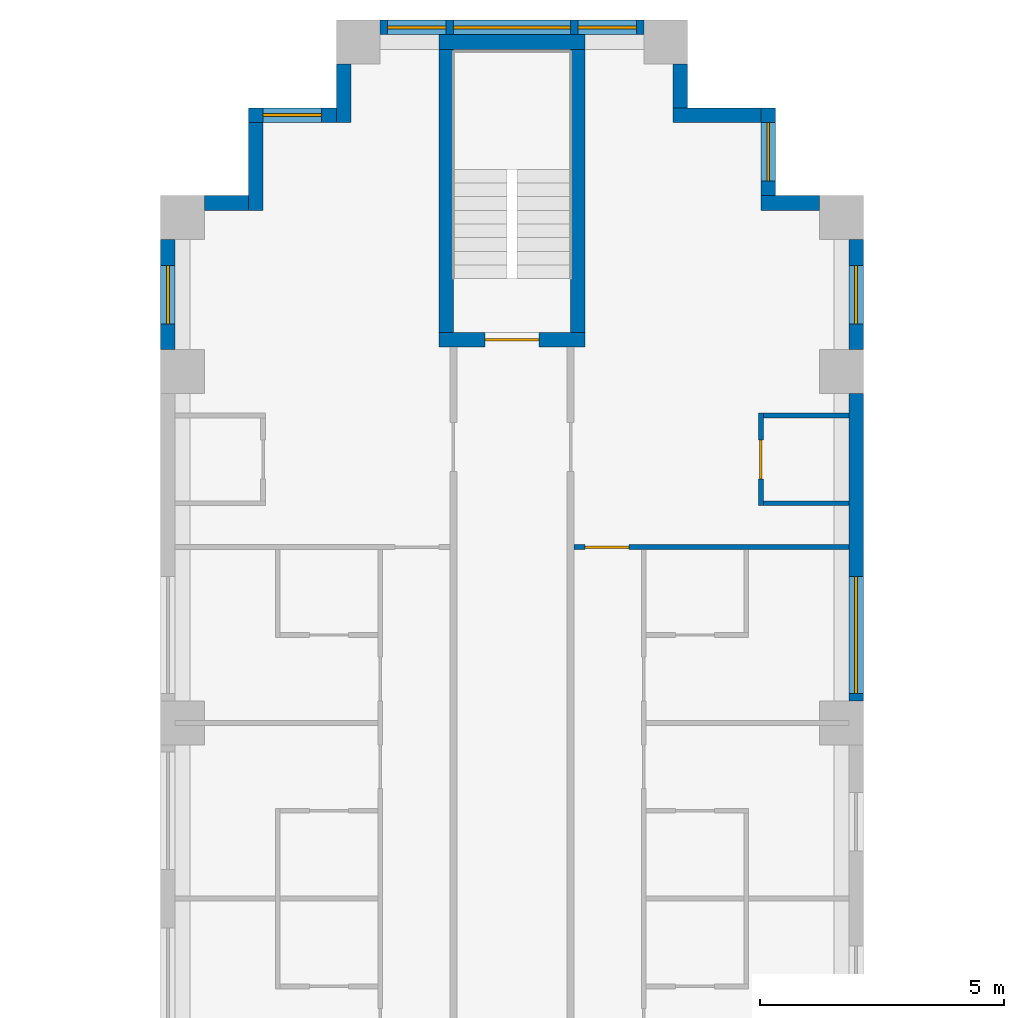
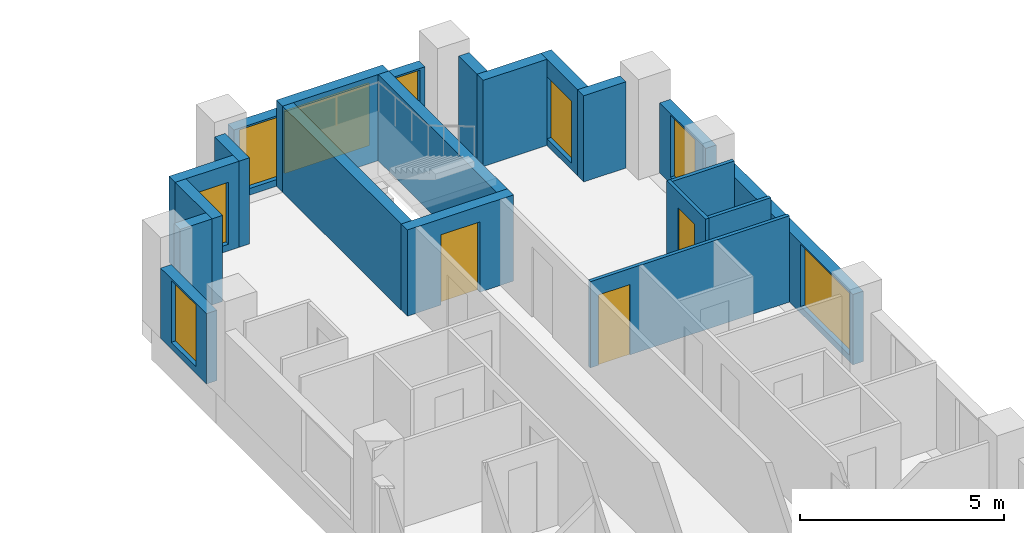
# One storey, part 12 of 15: 20 walls, 8 windows, 3 doors, 11 openings.
"""IFC4 building model written with IfcOpenShell, lengths in metres."""

from ifc_helpers import new_model, si_unit, direction, frame, frame_2d, origin, place, context, subcontext, project, spatial, rectangle, extrude, material, layer, layer_set, type_object, element, fill, save


model = new_model("IFC4")

# Units and contexts
model_context = context("Model", 3, precision=1e-05, world=origin(), true_north=direction((0.0, 1.0)))
body_context = subcontext(model_context, "Body", "Model", "MODEL_VIEW")
ifc_project = project(units=[si_unit("LENGTHUNIT", "METRE"), si_unit("AREAUNIT", "SQUARE_METRE"), si_unit("VOLUMEUNIT", "CUBIC_METRE"), si_unit("PLANEANGLEUNIT", "RADIAN"), si_unit("MASSUNIT", "GRAM", prefix="KILO")], contexts=[model_context])

# Site, building, storey
site_placement = place(None, origin())
site = spatial("IfcSite", under=ifc_project, at=site_placement, CompositionType="ELEMENT")
building_placement = place(site_placement, origin())
building = spatial("IfcBuilding", under=site, at=building_placement, Name="Fustian Cross Tower", CompositionType="ELEMENT")
storey_placement = place(building_placement, frame((0.0, 0.0, 11.699951171875)))
storey = spatial("IfcBuildingStorey", under=building, at=storey_placement, Name="L02", CompositionType="ELEMENT", Elevation=11.699951171875)

# Wall, opening, door
ifc_material_1 = material(Name="Plasterboard on steel stud", Category="steel")
ifc_layer_1 = layer(ifc_material_1, 0.10009765625)
ifc_layer_set_1 = layer_set([ifc_layer_1], Name="Plasterboard on steel stud")
wall_type_1 = type_object("IfcWallType", Name="PARTITION 100 STUD", PredefinedType="PARTITIONING", material=ifc_layer_set_1)
wall_1_placement = place(storey_placement, frame((1.27490234375, 32.39990234375, 0.0), z_axis=(0.0, 0.0, 1.0), x_axis=(1.0, 0.0, 0.0)))
wall_1 = element("IfcWall", 1, at=wall_1_placement, inside=storey, type_object=wall_type_1, Name="Partition 69", PredefinedType="PARTITIONING", context=body_context, shape_type="SweptSolid", body=[
    extrude(rectangle(XDim=5.625, YDim=0.10009765625, at=frame_2d((2.8125, 0.0))), origin(), (0.0, 0.0, 1.0), 2.574951171875),
])
opening_1_placement = place(wall_1_placement, frame((0.22509765625, 0.0, 0.0)))
opening_1 = element("IfcOpeningElement", 2, at=opening_1_placement, cuts=wall_1, Name="Opening D04037", PredefinedType="OPENING", context=body_context, shape_type="SweptSolid", body=[
    extrude(rectangle(XDim=0.89990234375, YDim=2.10009765625, at=frame_2d((0.449951171875, 1.050048828125))), frame((0.0, 0.06005859375, 0.0), z_axis=(0.0, -1.0, 0.0), x_axis=(1.0, 0.0, 0.0)), (0.0, 0.0, 1.0), 0.1201171875),
])
ifc_material_2 = material(Name="Painted timber", Category="wood")
door_type_1 = type_object("IfcDoorType", Name="SWING DOOR 900", OperationType="SINGLE_SWING_LEFT", PredefinedType="DOOR", material=ifc_material_2)
door_1_placement = place(opening_1_placement, frame((0.89990234375, 0.0, 0.0), z_axis=(0.0, 0.0, 1.0), x_axis=(-1.0, 0.0, 0.0)))
door_1 = element("IfcDoor", 3, at=door_1_placement, inside=storey, type_object=door_type_1, Name="Door D04037", OperationType="SINGLE_SWING_RIGHT", OverallHeight=2.10009765625, OverallWidth=0.89990234375, PredefinedType="DOOR", context=body_context, shape_type="SweptSolid", body=[
    extrude(rectangle(XDim=0.89990234375, YDim=2.10009765625, at=frame_2d((0.449951171875, 1.050048828125))), frame((0.0, 0.02490234375, 0.0), z_axis=(0.0, -1.0, 0.0), x_axis=(1.0, 0.0, 0.0)), (0.0, 0.0, 1.0), 0.050048828125),
])
fill(opening_1, door_1)

wall_2_placement = place(storey_placement, frame((5.10009765625, 33.25, 0.0), z_axis=(0.0, 0.0, 1.0), x_axis=(0.0, 1.0, 0.0)))
wall_2 = element("IfcWall", 4, at=wall_2_placement, inside=storey, type_object=wall_type_1, Name="Partition 95", PredefinedType="PARTITIONING", context=body_context, shape_type="SweptSolid", body=[
    extrude(rectangle(XDim=1.89990234375, YDim=0.10009765625, at=frame_2d((0.949951171875, 0.0))), origin(), (0.0, 0.0, 1.0), 2.574951171875),
])
opening_2_placement = place(wall_2_placement, frame((0.550048828125, 0.0, 0.0)))
opening_2 = element("IfcOpeningElement", 5, at=opening_2_placement, cuts=wall_2, Name="Opening D04035", PredefinedType="OPENING", context=body_context, shape_type="SweptSolid", body=[
    extrude(rectangle(XDim=0.800048828125, YDim=2.10009765625, at=frame_2d((0.39990234375, 1.050048828125))), frame((0.0, 0.06005859375, 0.0), z_axis=(0.0, -1.0, 0.0), x_axis=(1.0, 0.0, 0.0)), (0.0, 0.0, 1.0), 0.1201171875),
])
ifc_material_3 = material(Name="Painted timber", Category="wood")
door_type_2 = type_object("IfcDoorType", Name="SWING DOOR 800", OperationType="SINGLE_SWING_LEFT", PredefinedType="DOOR", material=ifc_material_3)
door_2_placement = place(opening_2_placement, frame((0.800048828125, 0.0, 0.0), z_axis=(0.0, 0.0, 1.0), x_axis=(-1.0, 0.0, 0.0)))
door_2 = element("IfcDoor", 6, at=door_2_placement, inside=storey, type_object=door_type_2, Name="Door D04035", OperationType="SINGLE_SWING_LEFT", OverallHeight=2.10009765625, OverallWidth=0.800048828125, PredefinedType="DOOR", context=body_context, shape_type="SweptSolid", body=[
    extrude(rectangle(XDim=0.800048828125, YDim=2.10009765625, at=frame_2d((0.39990234375, 1.050048828125))), frame((0.0, 0.02490234375, 0.0), z_axis=(0.0, -1.0, 0.0), x_axis=(1.0, 0.0, 0.0)), (0.0, 0.0, 1.0), 0.050048828125),
])
fill(opening_2, door_2)

# Walls
for number, where, z_axis, x_axis, name in (
    (7, (5.14990234375, 33.300048828125, 0.0), (0.0, 0.0, 1.0), (1.0, 0.0, 0.0), "Partition 96"),
    (8, (5.14990234375, 35.10009765625, 0.0), (0.0, 0.0, 1.0), (1.0, 0.0, 0.0), "Partition 97"),
):
    element("IfcWall", number, at=place(storey_placement, frame(where, z_axis=z_axis, x_axis=x_axis)), inside=storey, type_object=wall_type_1, Name=name, PredefinedType="PARTITIONING", context=body_context, shape_type="SweptSolid", body=[
        extrude(rectangle(XDim=1.75, YDim=0.10009765625, at=frame_2d((0.875, 0.0))), origin(), (0.0, 0.0, 1.0), 2.574951171875),
    ])

# Wall, opening, door
ifc_material_4 = material(Name="Concrete C50/60", Category="concrete")
ifc_layer_2 = layer(ifc_material_4, 0.300048828125)
ifc_layer_set_2 = layer_set([ifc_layer_2], Name="Concrete C50/60")
wall_type_2 = type_object("IfcWallType", Name="STAIR ENCLOSURE WALL 300 C50/60", PredefinedType="SHEAR", material=ifc_layer_set_2)
wall_3_placement = place(storey_placement, frame((-1.5, 36.64990234375, 0.0), z_axis=(0.0, 0.0, 1.0), x_axis=(1.0, 0.0, 0.0)))
wall_3 = element("IfcWall", 9, at=wall_3_placement, inside=storey, type_object=wall_type_2, Name="Stair enclosure wall", PredefinedType="SHEAR", context=body_context, shape_type="SweptSolid", body=[
    extrude(rectangle(XDim=3.0, YDim=0.300048828125, at=frame_2d((1.5, 0.0))), origin(), (0.0, 0.0, 1.0), 2.574951171875),
])
opening_3_placement = place(wall_3_placement, frame((0.949951171875, 0.0, 0.0)))
opening_3 = element("IfcOpeningElement", 10, at=opening_3_placement, cuts=wall_3, Name="Opening CD-04-29", PredefinedType="OPENING", context=body_context, shape_type="SweptSolid", body=[
    extrude(rectangle(XDim=1.10009765625, YDim=2.10009765625, at=frame_2d((0.550048828125, 1.050048828125))), frame((0.0, 0.159912109375, 0.0), z_axis=(0.0, -1.0, 0.0), x_axis=(1.0, 0.0, 0.0)), (0.0, 0.0, 1.0), 0.320068359375),
])
ifc_material_5 = material(Name="Steel", Category="steel")
door_type_3 = type_object("IfcDoorType", Name="FIRE DOOR FD60S 1100X2100", OperationType="SINGLE_SWING_LEFT", PredefinedType="DOOR", material=ifc_material_5)
door_3_placement = place(opening_3_placement, origin())
door_3 = element("IfcDoor", 11, at=door_3_placement, inside=storey, type_object=door_type_3, Name="Core door CD-04-29", OperationType="SINGLE_SWING_LEFT", OverallHeight=2.10009765625, OverallWidth=1.10009765625, PredefinedType="DOOR", context=body_context, shape_type="SweptSolid", body=[
    extrude(rectangle(XDim=1.10009765625, YDim=2.10009765625, at=frame_2d((0.550048828125, 1.050048828125))), frame((0.0, 0.02490234375, 0.0), z_axis=(0.0, -1.0, 0.0), x_axis=(1.0, 0.0, 0.0)), (0.0, 0.0, 1.0), 0.050048828125),
])
fill(opening_3, door_3)

# Walls
wall_4_placement = place(storey_placement, frame((-1.5, 42.75, 0.0), z_axis=(0.0, 0.0, 1.0), x_axis=(1.0, 0.0, 0.0)))
element("IfcWall", 12, at=wall_4_placement, inside=storey, type_object=wall_type_2, Name="Stair enclosure wall", PredefinedType="SHEAR", context=body_context, shape_type="SweptSolid", body=[
    extrude(rectangle(XDim=3.0, YDim=0.300048828125, at=frame_2d((1.5, 0.0))), origin(), (0.0, 0.0, 1.0), 2.574951171875),
])
for number, where, z_axis, x_axis, name in (
    (13, (-1.35009765625, 36.800048828125, 0.0), (0.0, 0.0, 1.0), (0.0, 1.0, 0.0), "Stair enclosure wall"),
    (14, (1.35009765625, 36.800048828125, 0.0), (0.0, 0.0, 1.0), (0.0, 1.0, 0.0), "Stair enclosure wall"),
):
    element("IfcWall", number, at=place(storey_placement, frame(where, z_axis=z_axis, x_axis=x_axis)), inside=storey, type_object=wall_type_2, Name=name, PredefinedType="SHEAR", context=body_context, shape_type="SweptSolid", body=[
        extrude(rectangle(XDim=5.800048828125, YDim=0.300048828125, at=frame_2d((2.89990234375, 0.0))), origin(), (0.0, 0.0, 1.0), 2.574951171875),
    ])

# Wall, opening, window
ifc_material_6 = material(Name="Dark aluminium cladding on insulated backing wall", Category="aluminium")
ifc_layer_3 = layer(ifc_material_6, 0.300048828125)
ifc_layer_set_3 = layer_set([ifc_layer_3], Name="Dark aluminium cladding on insulated backing wall")
wall_type_3 = type_object("IfcWallType", Name="XW1 EXTERNAL WALL 300", PredefinedType="SOLIDWALL", material=ifc_layer_set_3)
wall_5_placement = place(storey_placement, frame((7.050048828125, 29.25, 0.0), z_axis=(0.0, 0.0, 1.0), x_axis=(0.0, 1.0, 0.0)))
wall_5 = element("IfcWall", 15, at=wall_5_placement, inside=storey, type_object=wall_type_3, Name="External wall", PredefinedType="SOLIDWALL", context=body_context, shape_type="SweptSolid", body=[
    extrude(rectangle(XDim=6.300048828125, YDim=0.300048828125, at=frame_2d((3.14990234375, 0.0))), origin(), (0.0, 0.0, 1.0), 2.10009765625),
])
opening_4_placement = place(wall_5_placement, frame((0.14990234375, 0.0, 0.199951171875)))
opening_4 = element("IfcOpeningElement", 16, at=opening_4_placement, cuts=wall_5, Name="Opening WN1", PredefinedType="OPENING", context=body_context, shape_type="SweptSolid", body=[
    extrude(rectangle(XDim=2.39990234375, YDim=1.85009765625, at=frame_2d((1.199951171875, 0.925048828125))), frame((0.0, 0.159912109375, 0.0), z_axis=(0.0, -1.0, 0.0), x_axis=(1.0, 0.0, 0.0)), (0.0, 0.0, 1.0), 0.320068359375),
])
ifc_material_7 = material(Name="Dark anodised aluminium and double glazing", Category="aluminium")
window_type_1 = type_object("IfcWindowType", Name="WN1 WINDOW 2400X1850", PartitioningType="SINGLE_PANEL", PredefinedType="WINDOW", material=ifc_material_7)
window_1_placement = place(opening_4_placement, origin())
window_1 = element("IfcWindow", 17, at=window_1_placement, inside=storey, type_object=window_type_1, Name="Window", OverallHeight=1.85009765625, OverallWidth=2.39990234375, PartitioningType="SINGLE_PANEL", PredefinedType="WINDOW", context=body_context, shape_type="SweptSolid", body=[
    extrude(rectangle(XDim=2.39990234375, YDim=1.85009765625, at=frame_2d((1.199951171875, 0.925048828125))), frame((0.0, 0.030029296875, 0.0), z_axis=(0.0, -1.0, 0.0), x_axis=(1.0, 0.0, 0.0)), (0.0, 0.0, 1.0), 0.06005859375),
])
fill(opening_4, window_1)

wall_6_placement = place(storey_placement, frame((7.050048828125, 36.449951171875, 0.0), z_axis=(0.0, 0.0, 1.0), x_axis=(0.0, 1.0, 0.0)))
wall_6 = element("IfcWall", 18, at=wall_6_placement, inside=storey, type_object=wall_type_3, Name="External wall", PredefinedType="SOLIDWALL", context=body_context, shape_type="SweptSolid", body=[
    extrude(rectangle(XDim=2.25, YDim=0.300048828125, at=frame_2d((1.125, 0.0))), origin(), (0.0, 0.0, 1.0), 2.10009765625),
])
opening_5_placement = place(wall_6_placement, frame((0.52490234375, 0.0, 0.199951171875)))
opening_5 = element("IfcOpeningElement", 19, at=opening_5_placement, cuts=wall_6, Name="Opening WN3", PredefinedType="OPENING", context=body_context, shape_type="SweptSolid", body=[
    extrude(rectangle(XDim=1.199951171875, YDim=1.85009765625, at=frame_2d((0.60009765625, 0.925048828125))), frame((0.0, 0.159912109375, 0.0), z_axis=(0.0, -1.0, 0.0), x_axis=(1.0, 0.0, 0.0)), (0.0, 0.0, 1.0), 0.320068359375),
])
ifc_material_8 = material(Name="Dark anodised aluminium and double glazing", Category="aluminium")
window_type_2 = type_object("IfcWindowType", Name="WN3 WINDOW 1200X1850", PartitioningType="SINGLE_PANEL", PredefinedType="WINDOW", material=ifc_material_8)
window_2_placement = place(opening_5_placement, origin())
window_2 = element("IfcWindow", 20, at=window_2_placement, inside=storey, type_object=window_type_2, Name="Window", OverallHeight=1.85009765625, OverallWidth=1.199951171875, PartitioningType="SINGLE_PANEL", PredefinedType="WINDOW", context=body_context, shape_type="SweptSolid", body=[
    extrude(rectangle(XDim=1.199951171875, YDim=1.85009765625, at=frame_2d((0.60009765625, 0.925048828125))), frame((0.0, 0.030029296875, 0.0), z_axis=(0.0, -1.0, 0.0), x_axis=(1.0, 0.0, 0.0)), (0.0, 0.0, 1.0), 0.06005859375),
])
fill(opening_5, window_2)

# Wall
wall_7_placement = place(storey_placement, frame((6.300048828125, 39.449951171875, 0.0), z_axis=(0.0, 0.0, 1.0), x_axis=(-1.0, 0.0, 0.0)))
element("IfcWall", 21, at=wall_7_placement, inside=storey, type_object=wall_type_3, Name="External wall", PredefinedType="SOLIDWALL", context=body_context, shape_type="SweptSolid", body=[
    extrude(rectangle(XDim=1.199951171875, YDim=0.300048828125, at=frame_2d((0.60009765625, 0.0))), origin(), (0.0, 0.0, 1.0), 2.574951171875),
])

# Wall, opening, window
wall_8_placement = place(storey_placement, frame((5.25, 39.60009765625, 0.0), z_axis=(0.0, 0.0, 1.0), x_axis=(0.0, 1.0, 0.0)))
wall_8 = element("IfcWall", 22, at=wall_8_placement, inside=storey, type_object=wall_type_3, Name="External wall", PredefinedType="SOLIDWALL", context=body_context, shape_type="SweptSolid", body=[
    extrude(rectangle(XDim=1.7998046875, YDim=0.300048828125, at=frame_2d((0.89990234375, 0.0))), origin(), (0.0, 0.0, 1.0), 2.574951171875),
])
opening_6_placement = place(wall_8_placement, frame((0.300048828125, 0.0, 0.199951171875)))
opening_6 = element("IfcOpeningElement", 23, at=opening_6_placement, cuts=wall_8, Name="Opening WN3", PredefinedType="OPENING", context=body_context, shape_type="SweptSolid", body=[
    extrude(rectangle(XDim=1.199951171875, YDim=1.85009765625, at=frame_2d((0.60009765625, 0.925048828125))), frame((0.0, 0.159912109375, 0.0), z_axis=(0.0, -1.0, 0.0), x_axis=(1.0, 0.0, 0.0)), (0.0, 0.0, 1.0), 0.320068359375),
])
window_3_placement = place(opening_6_placement, origin())
window_3 = element("IfcWindow", 24, at=window_3_placement, inside=storey, type_object=window_type_2, Name="Window", OverallHeight=1.85009765625, OverallWidth=1.199951171875, PartitioningType="SINGLE_PANEL", PredefinedType="WINDOW", context=body_context, shape_type="SweptSolid", body=[
    extrude(rectangle(XDim=1.199951171875, YDim=1.85009765625, at=frame_2d((0.60009765625, 0.925048828125))), frame((0.0, 0.030029296875, 0.0), z_axis=(0.0, -1.0, 0.0), x_axis=(1.0, 0.0, 0.0)), (0.0, 0.0, 1.0), 0.06005859375),
])
fill(opening_6, window_3)

# Walls
wall_9_placement = place(storey_placement, frame((5.10009765625, 41.25, 0.0), z_axis=(0.0, 0.0, 1.0), x_axis=(-1.0, 0.0, 0.0)))
element("IfcWall", 25, at=wall_9_placement, inside=storey, type_object=wall_type_3, Name="External wall", PredefinedType="SOLIDWALL", context=body_context, shape_type="SweptSolid", body=[
    extrude(rectangle(XDim=1.800048828125, YDim=0.300048828125, at=frame_2d((0.89990234375, 0.0))), origin(), (0.0, 0.0, 1.0), 2.574951171875),
])
wall_10_placement = place(storey_placement, frame((3.449951171875, 41.39990234375, 0.0), z_axis=(0.0, 0.0, 1.0), x_axis=(0.0, 1.0, 0.0)))
element("IfcWall", 26, at=wall_10_placement, inside=storey, type_object=wall_type_3, Name="External wall", PredefinedType="SOLIDWALL", context=body_context, shape_type="SweptSolid", body=[
    extrude(rectangle(XDim=0.900146484375, YDim=0.300048828125, at=frame_2d((0.4501953125, 0.0))), origin(), (0.0, 0.0, 1.0), 2.574951171875),
])

# Wall, openings, windows
wall_11_placement = place(storey_placement, frame((2.699951171875, 43.050048828125, 0.0), z_axis=(0.0, 0.0, 1.0), x_axis=(-1.0, 0.0, 0.0)))
wall_11 = element("IfcWall", 27, at=wall_11_placement, inside=storey, type_object=wall_type_3, Name="External wall", PredefinedType="SOLIDWALL", context=body_context, shape_type="SweptSolid", body=[
    extrude(rectangle(XDim=5.39990234375, YDim=0.300048828125, at=frame_2d((2.699951171875, 0.0))), origin(), (0.0, 0.0, 1.0), 2.10009765625),
])
opening_7_placement = place(wall_11_placement, frame((1.5, 0.0, 0.199951171875)))
opening_7 = element("IfcOpeningElement", 28, at=opening_7_placement, cuts=wall_11, Name="Opening WN1", PredefinedType="OPENING", context=body_context, shape_type="SweptSolid", body=[
    extrude(rectangle(XDim=2.39990234375, YDim=1.85009765625, at=frame_2d((1.199951171875, 0.925048828125))), frame((0.0, 0.159912109375, 0.0), z_axis=(0.0, -1.0, 0.0), x_axis=(1.0, 0.0, 0.0)), (0.0, 0.0, 1.0), 0.320068359375),
])
opening_8_placement = place(wall_11_placement, frame((0.14990234375, 0.0, 0.199951171875)))
opening_8 = element("IfcOpeningElement", 29, at=opening_8_placement, cuts=wall_11, Name="Opening WN3", PredefinedType="OPENING", context=body_context, shape_type="SweptSolid", body=[
    extrude(rectangle(XDim=1.199951171875, YDim=1.85009765625, at=frame_2d((0.60009765625, 0.925048828125))), frame((0.0, 0.159912109375, 0.0), z_axis=(0.0, -1.0, 0.0), x_axis=(1.0, 0.0, 0.0)), (0.0, 0.0, 1.0), 0.320068359375),
])
opening_9_placement = place(wall_11_placement, frame((4.050048828125, 0.0, 0.199951171875)))
opening_9 = element("IfcOpeningElement", 30, at=opening_9_placement, cuts=wall_11, Name="Opening WN3", PredefinedType="OPENING", context=body_context, shape_type="SweptSolid", body=[
    extrude(rectangle(XDim=1.199951171875, YDim=1.85009765625, at=frame_2d((0.60009765625, 0.925048828125))), frame((0.0, 0.159912109375, 0.0), z_axis=(0.0, -1.0, 0.0), x_axis=(1.0, 0.0, 0.0)), (0.0, 0.0, 1.0), 0.320068359375),
])
window_4_placement = place(opening_7_placement, origin())
window_4 = element("IfcWindow", 31, at=window_4_placement, inside=storey, type_object=window_type_1, Name="Window", OverallHeight=1.85009765625, OverallWidth=2.39990234375, PartitioningType="SINGLE_PANEL", PredefinedType="WINDOW", context=body_context, shape_type="SweptSolid", body=[
    extrude(rectangle(XDim=2.39990234375, YDim=1.85009765625, at=frame_2d((1.199951171875, 0.925048828125))), frame((0.0, 0.030029296875, 0.0), z_axis=(0.0, -1.0, 0.0), x_axis=(1.0, 0.0, 0.0)), (0.0, 0.0, 1.0), 0.06005859375),
])
fill(opening_7, window_4)
window_5_placement = place(opening_8_placement, origin())
window_5 = element("IfcWindow", 32, at=window_5_placement, inside=storey, type_object=window_type_2, Name="Window", OverallHeight=1.85009765625, OverallWidth=1.199951171875, PartitioningType="SINGLE_PANEL", PredefinedType="WINDOW", context=body_context, shape_type="SweptSolid", body=[
    extrude(rectangle(XDim=1.199951171875, YDim=1.85009765625, at=frame_2d((0.60009765625, 0.925048828125))), frame((0.0, 0.030029296875, 0.0), z_axis=(0.0, -1.0, 0.0), x_axis=(1.0, 0.0, 0.0)), (0.0, 0.0, 1.0), 0.06005859375),
])
fill(opening_8, window_5)
window_6_placement = place(opening_9_placement, origin())
window_6 = element("IfcWindow", 33, at=window_6_placement, inside=storey, type_object=window_type_2, Name="Window", OverallHeight=1.85009765625, OverallWidth=1.199951171875, PartitioningType="SINGLE_PANEL", PredefinedType="WINDOW", context=body_context, shape_type="SweptSolid", body=[
    extrude(rectangle(XDim=1.199951171875, YDim=1.85009765625, at=frame_2d((0.60009765625, 0.925048828125))), frame((0.0, 0.030029296875, 0.0), z_axis=(0.0, -1.0, 0.0), x_axis=(1.0, 0.0, 0.0)), (0.0, 0.0, 1.0), 0.06005859375),
])
fill(opening_9, window_6)

# Wall
wall_12_placement = place(storey_placement, frame((-3.449951171875, 42.300048828125, 0.0), z_axis=(0.0, 0.0, 1.0), x_axis=(0.0, -1.0, 0.0)))
element("IfcWall", 34, at=wall_12_placement, inside=storey, type_object=wall_type_3, Name="External wall", PredefinedType="SOLIDWALL", context=body_context, shape_type="SweptSolid", body=[
    extrude(rectangle(XDim=1.199951171875, YDim=0.300048828125, at=frame_2d((0.60009765625, 0.0))), origin(), (0.0, 0.0, 1.0), 2.574951171875),
])

# Wall, opening, window
wall_13_placement = place(storey_placement, frame((-3.60009765625, 41.25, 0.0), z_axis=(0.0, 0.0, 1.0), x_axis=(-1.0, 0.0, 0.0)))
wall_13 = element("IfcWall", 35, at=wall_13_placement, inside=storey, type_object=wall_type_3, Name="External wall", PredefinedType="SOLIDWALL", context=body_context, shape_type="SweptSolid", body=[
    extrude(rectangle(XDim=1.7998046875, YDim=0.300048828125, at=frame_2d((0.89990234375, 0.0))), origin(), (0.0, 0.0, 1.0), 2.574951171875),
])
opening_10_placement = place(wall_13_placement, frame((0.300048828125, 0.0, 0.199951171875)))
opening_10 = element("IfcOpeningElement", 36, at=opening_10_placement, cuts=wall_13, Name="Opening WN3", PredefinedType="OPENING", context=body_context, shape_type="SweptSolid", body=[
    extrude(rectangle(XDim=1.199951171875, YDim=1.85009765625, at=frame_2d((0.60009765625, 0.925048828125))), frame((0.0, 0.159912109375, 0.0), z_axis=(0.0, -1.0, 0.0), x_axis=(1.0, 0.0, 0.0)), (0.0, 0.0, 1.0), 0.320068359375),
])
window_7_placement = place(opening_10_placement, origin())
window_7 = element("IfcWindow", 37, at=window_7_placement, inside=storey, type_object=window_type_2, Name="Window", OverallHeight=1.85009765625, OverallWidth=1.199951171875, PartitioningType="SINGLE_PANEL", PredefinedType="WINDOW", context=body_context, shape_type="SweptSolid", body=[
    extrude(rectangle(XDim=1.199951171875, YDim=1.85009765625, at=frame_2d((0.60009765625, 0.925048828125))), frame((0.0, 0.030029296875, 0.0), z_axis=(0.0, -1.0, 0.0), x_axis=(1.0, 0.0, 0.0)), (0.0, 0.0, 1.0), 0.06005859375),
])
fill(opening_10, window_7)

# Walls
wall_14_placement = place(storey_placement, frame((-5.25, 41.10009765625, 0.0), z_axis=(0.0, 0.0, 1.0), x_axis=(0.0, -1.0, 0.0)))
element("IfcWall", 38, at=wall_14_placement, inside=storey, type_object=wall_type_3, Name="External wall", PredefinedType="SOLIDWALL", context=body_context, shape_type="SweptSolid", body=[
    extrude(rectangle(XDim=1.800048828125, YDim=0.300048828125, at=frame_2d((0.89990234375, 0.0))), origin(), (0.0, 0.0, 1.0), 2.574951171875),
])
wall_15_placement = place(storey_placement, frame((-5.39990234375, 39.449951171875, 0.0), z_axis=(0.0, 0.0, 1.0), x_axis=(-1.0, 0.0, 0.0)))
element("IfcWall", 39, at=wall_15_placement, inside=storey, type_object=wall_type_3, Name="External wall", PredefinedType="SOLIDWALL", context=body_context, shape_type="SweptSolid", body=[
    extrude(rectangle(XDim=0.900146484375, YDim=0.300048828125, at=frame_2d((0.4501953125, 0.0))), origin(), (0.0, 0.0, 1.0), 2.574951171875),
])

# Wall, opening, window
wall_16_placement = place(storey_placement, frame((-7.050048828125, 38.699951171875, 0.0), z_axis=(0.0, 0.0, 1.0), x_axis=(0.0, -1.0, 0.0)))
wall_16 = element("IfcWall", 40, at=wall_16_placement, inside=storey, type_object=wall_type_3, Name="External wall", PredefinedType="SOLIDWALL", context=body_context, shape_type="SweptSolid", body=[
    extrude(rectangle(XDim=2.25, YDim=0.300048828125, at=frame_2d((1.125, 0.0))), origin(), (0.0, 0.0, 1.0), 2.10009765625),
])
opening_11_placement = place(wall_16_placement, frame((0.52490234375, 0.0, 0.199951171875)))
opening_11 = element("IfcOpeningElement", 41, at=opening_11_placement, cuts=wall_16, Name="Opening WN3", PredefinedType="OPENING", context=body_context, shape_type="SweptSolid", body=[
    extrude(rectangle(XDim=1.199951171875, YDim=1.85009765625, at=frame_2d((0.60009765625, 0.925048828125))), frame((0.0, 0.159912109375, 0.0), z_axis=(0.0, -1.0, 0.0), x_axis=(1.0, 0.0, 0.0)), (0.0, 0.0, 1.0), 0.320068359375),
])
window_8_placement = place(opening_11_placement, origin())
window_8 = element("IfcWindow", 42, at=window_8_placement, inside=storey, type_object=window_type_2, Name="Window", OverallHeight=1.85009765625, OverallWidth=1.199951171875, PartitioningType="SINGLE_PANEL", PredefinedType="WINDOW", context=body_context, shape_type="SweptSolid", body=[
    extrude(rectangle(XDim=1.199951171875, YDim=1.85009765625, at=frame_2d((0.60009765625, 0.925048828125))), frame((0.0, 0.030029296875, 0.0), z_axis=(0.0, -1.0, 0.0), x_axis=(1.0, 0.0, 0.0)), (0.0, 0.0, 1.0), 0.06005859375),
])
fill(opening_11, window_8)

save(model, "model.ifc")
